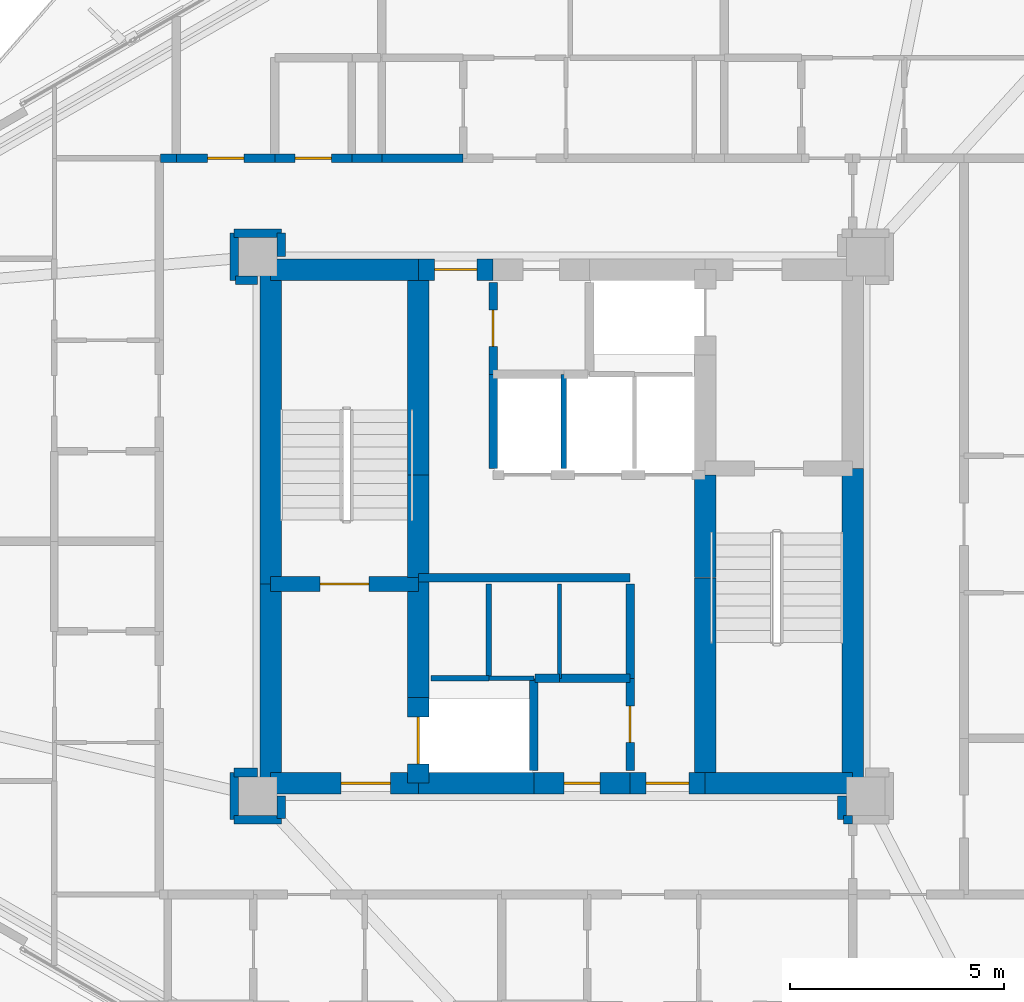
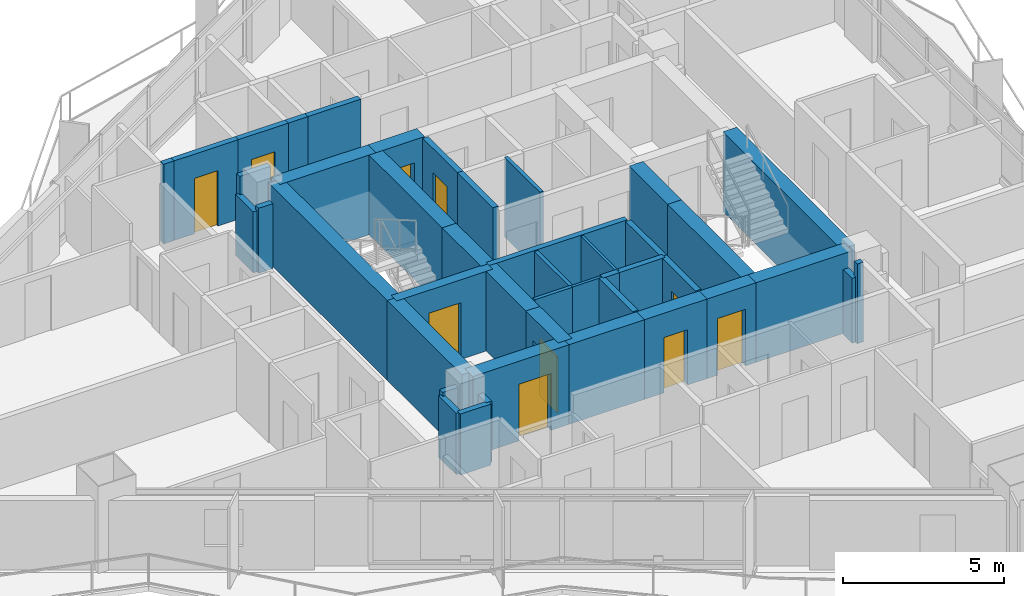
# One storey, part 13 of 18: 45 walls, 10 doors, 10 openings.
"""IFC4 building model written with IfcOpenShell, lengths in metres."""

from ifc_helpers import new_model, si_unit, direction, frame, frame_2d, origin, place, context, subcontext, project, spatial, rectangle, extrude, material, layer, layer_set, type_object, element, fill, save


model = new_model("IFC4")

# Units and contexts
model_context = context("Model", 3, precision=1e-05, world=origin(), true_north=direction((0.0, 1.0)))
body_context = subcontext(model_context, "Body", "Model", "MODEL_VIEW")
ifc_project = project(units=[si_unit("LENGTHUNIT", "METRE"), si_unit("AREAUNIT", "SQUARE_METRE"), si_unit("VOLUMEUNIT", "CUBIC_METRE"), si_unit("PLANEANGLEUNIT", "RADIAN"), si_unit("MASSUNIT", "GRAM", prefix="KILO")], contexts=[model_context])

# Site, building, storey
site_placement = place(None, origin())
site = spatial("IfcSite", under=ifc_project, at=site_placement, CompositionType="ELEMENT")
building_placement = place(site_placement, origin())
building = spatial("IfcBuilding", under=site, at=building_placement, Name="Mersakhor Tower and Convention Hall", CompositionType="ELEMENT")
storey_placement = place(building_placement, frame((0.0, 0.0, 58.800048828125)))
storey = spatial("IfcBuildingStorey", under=building, at=storey_placement, Name="L16", CompositionType="ELEMENT", Elevation=58.800048828125)

# Walls
ifc_material_1 = material(Name="Lightweight gypsum partition", Category="other")
ifc_layer_1 = layer(ifc_material_1, 0.10009765625)
ifc_layer_set_1 = layer_set([ifc_layer_1], Name="Lightweight gypsum partition")
wall_type_1 = type_object("IfcWallType", Name="WL-PRT-100", PredefinedType="PARTITIONING", material=ifc_layer_set_1)
wall_1_placement = place(storey_placement, frame((27.300048828125, 23.199951171875, 0.0), z_axis=(0.0, 0.0, 1.0), x_axis=(1.0, 0.0, 0.0)))
element("IfcWall", 1, at=wall_1_placement, inside=storey, type_object=wall_type_1, Name="L16 Interior Partition Wall P-002", PredefinedType="PARTITIONING", context=body_context, shape_type="SweptSolid", body=[
    extrude(rectangle(XDim=1.050048828125, YDim=0.10009765625, at=frame_2d((0.52490234375, 0.0))), origin(), (0.0, 0.0, 1.0), 3.02001953125),
])
wall_2_placement = place(storey_placement, frame((28.949951171875, 25.39990234375, 0.0), z_axis=(0.0, 0.0, 1.0), x_axis=(0.0, -1.0, 0.0)))
element("IfcWall", 2, at=wall_2_placement, inside=storey, type_object=wall_type_1, Name="L16 Interior Partition Wall P-008", PredefinedType="PARTITIONING", context=body_context, shape_type="SweptSolid", body=[
    extrude(rectangle(XDim=2.199951171875, YDim=0.10009765625, at=frame_2d((1.10009765625, 0.0))), origin(), (0.0, 0.0, 1.0), 3.02001953125),
])
ifc_material_2 = material(Name="Gypsum board acoustic partition", Category="other")
ifc_layer_2 = layer(ifc_material_2, 0.125)
ifc_layer_set_2 = layer_set([ifc_layer_2], Name="Gypsum board acoustic partition")
wall_type_2 = type_object("IfcWallType", Name="WL-PRT-125", PredefinedType="PARTITIONING", material=ifc_layer_set_2)
wall_3_placement = place(storey_placement, frame((25.949951171875, 23.199951171875, 0.0), z_axis=(0.0, 0.0, 1.0), x_axis=(1.0, 0.0, 0.0)))
element("IfcWall", 3, at=wall_3_placement, inside=storey, type_object=wall_type_2, Name="L16 Interior Partition Wall P-001", PredefinedType="PARTITIONING", context=body_context, shape_type="SweptSolid", body=[
    extrude(rectangle(XDim=1.35009765625, YDim=0.125, at=frame_2d((0.675048828125, 0.0))), origin(), (0.0, 0.0, 1.0), 3.02001953125),
])
for number, where, z_axis, x_axis, name in (
    (4, (27.300048828125, 25.39990234375, 0.0), (0.0, 0.0, 1.0), (0.0, -1.0, 0.0), "L16 Interior Partition Wall P-007"),
    (5, (29.050048828125, 30.300048828125, 0.0), (0.0, 0.0, 1.0), (0.0, -1.0, 0.0), "L16 Interior Partition Wall P-013"),
):
    element("IfcWall", number, at=place(storey_placement, frame(where, z_axis=z_axis, x_axis=x_axis)), inside=storey, type_object=wall_type_2, Name=name, PredefinedType="PARTITIONING", context=body_context, shape_type="SweptSolid", body=[
        extrude(rectangle(XDim=2.199951171875, YDim=0.125, at=frame_2d((1.10009765625, 0.0))), origin(), (0.0, 0.0, 1.0), 3.02001953125),
    ])
ifc_material_3 = material(Name="Acoustic concrete blockwork and gypsum board", Category="masonry")
ifc_layer_3 = layer(ifc_material_3, 0.199951171875)
ifc_layer_set_3 = layer_set([ifc_layer_3], Name="Acoustic concrete blockwork and gypsum board")
wall_type_3 = type_object("IfcWallType", Name="WL-PRT-200", PredefinedType="PARTITIONING", material=ifc_layer_set_3)
wall_4_placement = place(storey_placement, frame((25.64990234375, 25.550048828125, 0.0), z_axis=(0.0, 0.0, 1.0), x_axis=(1.0, 0.0, 0.0)))
element("IfcWall", 6, at=wall_4_placement, inside=storey, type_object=wall_type_3, Name="L16 High-Rise Lift Bank Front Wall", PredefinedType="PARTITIONING", context=body_context, shape_type="SweptSolid", body=[
    extrude(rectangle(XDim=4.9501953125, YDim=0.199951171875, at=frame_2d((2.47509765625, 0.0))), origin(), (0.0, 0.0, 1.0), 3.02001953125),
])
wall_5_placement = place(storey_placement, frame((28.35009765625, 23.199951171875, 0.0), z_axis=(0.0, 0.0, 1.0), x_axis=(0.0, -1.0, 0.0)))
element("IfcWall", 7, at=wall_5_placement, inside=storey, type_object=wall_type_3, Name="L16 Interior Partition Wall P-003", PredefinedType="PARTITIONING", context=body_context, shape_type="SweptSolid", body=[
    extrude(rectangle(XDim=2.14990234375, YDim=0.199951171875, at=frame_2d((1.074951171875, 0.0))), origin(), (0.0, 0.0, 1.0), 3.02001953125),
])
wall_6_placement = place(storey_placement, frame((28.949951171875, 23.199951171875, 0.0), z_axis=(0.0, 0.0, 1.0), x_axis=(-1.0, 0.0, 0.0)))
element("IfcWall", 8, at=wall_6_placement, inside=storey, type_object=wall_type_3, Name="L16 Interior Partition Wall P-009", PredefinedType="PARTITIONING", context=body_context, shape_type="SweptSolid", body=[
    extrude(rectangle(XDim=0.570068359375, YDim=0.199951171875, at=frame_2d((0.28515625, 0.0))), origin(), (0.0, 0.0, 1.0), 3.02001953125),
])
wall_7_placement = place(storey_placement, frame((30.60009765625, 25.39990234375, 0.0), z_axis=(0.0, 0.0, 1.0), x_axis=(0.0, -1.0, 0.0)))
element("IfcWall", 9, at=wall_7_placement, inside=storey, type_object=wall_type_3, Name="L16 Interior Partition Wall P-010", PredefinedType="PARTITIONING", context=body_context, shape_type="SweptSolid", body=[
    extrude(rectangle(XDim=2.199951171875, YDim=0.199951171875, at=frame_2d((1.10009765625, 0.0))), origin(), (0.0, 0.0, 1.0), 3.02001953125),
])
wall_8_placement = place(storey_placement, frame((30.60009765625, 23.199951171875, 0.0), z_axis=(0.0, 0.0, 1.0), x_axis=(-1.0, 0.0, 0.0)))
element("IfcWall", 10, at=wall_8_placement, inside=storey, type_object=wall_type_3, Name="L16 Interior Partition Wall P-011", PredefinedType="PARTITIONING", context=body_context, shape_type="SweptSolid", body=[
    extrude(rectangle(XDim=1.650146484375, YDim=0.199951171875, at=frame_2d((0.8251953125, 0.0))), origin(), (0.0, 0.0, 1.0), 3.02001953125),
])
wall_9_placement = place(storey_placement, frame((27.39990234375, 28.10009765625, 0.0), z_axis=(0.0, 0.0, 1.0), x_axis=(0.0, 1.0, 0.0)))
element("IfcWall", 11, at=wall_9_placement, inside=storey, type_object=wall_type_3, Name="L16 Interior Partition Wall P-014", PredefinedType="PARTITIONING", context=body_context, shape_type="SweptSolid", body=[
    extrude(rectangle(XDim=2.199951171875, YDim=0.199951171875, at=frame_2d((1.10009765625, 0.0))), origin(), (0.0, 0.0, 1.0), 3.02001953125),
])

# Wall, opening, door
wall_10_placement = place(storey_placement, frame((30.60009765625, 21.050048828125, 0.0), z_axis=(0.0, 0.0, 1.0), x_axis=(0.0, 1.0, 0.0)))
wall_10 = element("IfcWall", 12, at=wall_10_placement, inside=storey, type_object=wall_type_3, Name="L16 Interior Partition Wall P-017", PredefinedType="PARTITIONING", context=body_context, shape_type="SweptSolid", body=[
    extrude(rectangle(XDim=2.14990234375, YDim=0.199951171875, at=frame_2d((1.074951171875, 0.0))), origin(), (0.0, 0.0, 1.0), 3.02001953125),
])
opening_1_placement = place(wall_10_placement, frame((0.64990234375, 0.0, 0.0)))
opening_1 = element("IfcOpeningElement", 13, at=opening_1_placement, cuts=wall_10, Name="Opening SVD-01", PredefinedType="OPENING", context=body_context, shape_type="SweptSolid", body=[
    extrude(rectangle(XDim=0.85009765625, YDim=2.10009765625, at=frame_2d((0.425048828125, 1.050048828125))), frame((0.0, 0.10986328125, 0.0), z_axis=(0.0, -1.0, 0.0), x_axis=(1.0, 0.0, 0.0)), (0.0, 0.0, 1.0), 0.219970703125),
])
ifc_material_4 = material(Name="Fire-rated hardwood leaf and painted steel frame", Category="steel")
door_type_1 = type_object("IfcDoorType", Name="DR-INT-SVC-085x210", OperationType="NOTDEFINED", PredefinedType="DOOR", material=ifc_material_4)
door_1_placement = place(opening_1_placement, origin())
door_1 = element("IfcDoor", 14, at=door_1_placement, inside=storey, type_object=door_type_1, Name="L16 Central Passenger Lift Lobby to Electrical Switchroom Door", OperationType="SINGLE_SWING_RIGHT", OverallHeight=2.10009765625, OverallWidth=0.85009765625, PredefinedType="DOOR", context=body_context, shape_type="SweptSolid", body=[
    extrude(rectangle(XDim=0.85009765625, YDim=2.10009765625, at=frame_2d((0.425048828125, 1.050048828125))), frame((0.0, 0.02490234375, 0.0), z_axis=(0.0, -1.0, 0.0), x_axis=(1.0, 0.0, 0.0)), (0.0, 0.0, 1.0), 0.050048828125),
])
fill(opening_1, door_1)

wall_11_placement = place(storey_placement, frame((27.39990234375, 32.449951171875, 0.0), z_axis=(0.0, 0.0, 1.0), x_axis=(0.0, -1.0, 0.0)))
wall_11 = element("IfcWall", 15, at=wall_11_placement, inside=storey, type_object=wall_type_3, Name="L16 Interior Partition Wall P-018", PredefinedType="PARTITIONING", context=body_context, shape_type="SweptSolid", body=[
    extrude(rectangle(XDim=2.14990234375, YDim=0.199951171875, at=frame_2d((1.074951171875, 0.0))), origin(), (0.0, 0.0, 1.0), 3.02001953125),
])
opening_2_placement = place(wall_11_placement, frame((0.64990234375, 0.0, 0.0)))
opening_2 = element("IfcOpeningElement", 16, at=opening_2_placement, cuts=wall_11, Name="Opening SVD-01", PredefinedType="OPENING", context=body_context, shape_type="SweptSolid", body=[
    extrude(rectangle(XDim=0.85009765625, YDim=2.10009765625, at=frame_2d((0.425048828125, 1.050048828125))), frame((0.0, 0.10986328125, 0.0), z_axis=(0.0, -1.0, 0.0), x_axis=(1.0, 0.0, 0.0)), (0.0, 0.0, 1.0), 0.219970703125),
])
door_2_placement = place(opening_2_placement, origin())
door_2 = element("IfcDoor", 17, at=door_2_placement, inside=storey, type_object=door_type_1, Name="L16 Central Passenger Lift Lobby to Telecoms and BMS Riser Room Door", OperationType="SINGLE_SWING_LEFT", OverallHeight=2.10009765625, OverallWidth=0.85009765625, PredefinedType="DOOR", context=body_context, shape_type="SweptSolid", body=[
    extrude(rectangle(XDim=0.85009765625, YDim=2.10009765625, at=frame_2d((0.425048828125, 1.050048828125))), frame((0.0, 0.02490234375, 0.0), z_axis=(0.0, -1.0, 0.0), x_axis=(1.0, 0.0, 0.0)), (0.0, 0.0, 1.0), 0.050048828125),
])
fill(opening_2, door_2)

# Walls
wall_12_placement = place(storey_placement, frame((21.35009765625, 19.89990234375, 0.0), z_axis=(0.0, 0.0, 1.0), x_axis=(1.0, 0.0, 0.0)))
element("IfcWall", 18, at=wall_12_placement, inside=storey, type_object=wall_type_3, Name="L16 Interior Partition Wall P-019", PredefinedType="PARTITIONING", context=body_context, shape_type="SweptSolid", body=[
    extrude(rectangle(XDim=1.099853515625, YDim=0.199951171875, at=frame_2d((0.5498046875, 0.0))), origin(), (0.0, 0.0, 1.0), 2.3173828125),
])
wall_13_placement = place(storey_placement, frame((22.449951171875, 19.929931640625, 0.0), z_axis=(0.0, 0.0, 1.0), x_axis=(0.0, 1.0, 0.0)))
element("IfcWall", 19, at=wall_13_placement, inside=storey, type_object=wall_type_3, Name="L16 Interior Partition Wall P-020", PredefinedType="PARTITIONING", context=body_context, shape_type="SweptSolid", body=[
    extrude(rectangle(XDim=0.52001953125, YDim=0.199951171875, at=frame_2d((0.260009765625, 0.0))), origin(), (0.0, 0.0, 1.0), 2.3173828125),
])
wall_14_placement = place(storey_placement, frame((35.550048828125, 20.449951171875, 0.0), z_axis=(0.0, 0.0, 1.0), x_axis=(0.0, -1.0, 0.0)))
element("IfcWall", 20, at=wall_14_placement, inside=storey, type_object=wall_type_3, Name="L16 Interior Partition Wall P-021", PredefinedType="PARTITIONING", context=body_context, shape_type="SweptSolid", body=[
    extrude(rectangle(XDim=0.550048828125, YDim=0.199951171875, at=frame_2d((0.27490234375, 0.0))), origin(), (0.0, 0.0, 1.0), 2.46826171875),
])
wall_15_placement = place(storey_placement, frame((35.580078125, 19.89990234375, 0.0), z_axis=(0.0, 0.0, 1.0), x_axis=(1.0, 0.0, 0.0)))
element("IfcWall", 21, at=wall_15_placement, inside=storey, type_object=wall_type_3, Name="L16 Interior Partition Wall P-022", PredefinedType="PARTITIONING", context=body_context, shape_type="SweptSolid", body=[
    extrude(rectangle(XDim=0.219970703125, YDim=0.199951171875, at=frame_2d((0.10986328125, 0.0))), origin(), (0.0, 0.0, 1.0), 3.02001953125),
])
wall_16_placement = place(storey_placement, frame((19.6298828125, 35.35009765625, 0.0), z_axis=(0.0, 0.0, 1.0), x_axis=(1.0, 0.0, 0.0)))
element("IfcWall", 22, at=wall_16_placement, inside=storey, type_object=wall_type_3, Name="L16 Interior Partition Wall P-037", PredefinedType="PARTITIONING", context=body_context, shape_type="SweptSolid", body=[
    extrude(rectangle(XDim=0.3701171875, YDim=0.199951171875, at=frame_2d((0.18505859375, 0.0))), origin(), (0.0, 0.0, 1.0), 3.02001953125),
])

# Wall, opening, door
wall_17_placement = place(storey_placement, frame((20.0, 35.35009765625, 0.0), z_axis=(0.0, 0.0, 1.0), x_axis=(1.0, 0.0, 0.0)))
wall_17 = element("IfcWall", 23, at=wall_17_placement, inside=storey, type_object=wall_type_3, Name="L16 Interior Partition Wall P-038", PredefinedType="PARTITIONING", context=body_context, shape_type="SweptSolid", body=[
    extrude(rectangle(XDim=2.300048828125, YDim=0.199951171875, at=frame_2d((1.14990234375, 0.0))), origin(), (0.0, 0.0, 1.0), 3.02001953125),
])
opening_3_placement = place(wall_17_placement, frame((0.72509765625, 0.0, 0.0)))
opening_3 = element("IfcOpeningElement", 24, at=opening_3_placement, cuts=wall_17, Name="Opening SVD-01", PredefinedType="OPENING", context=body_context, shape_type="SweptSolid", body=[
    extrude(rectangle(XDim=0.85009765625, YDim=2.10009765625, at=frame_2d((0.425048828125, 1.050048828125))), frame((0.0, 0.10986328125, 0.0), z_axis=(0.0, -1.0, 0.0), x_axis=(1.0, 0.0, 0.0)), (0.0, 0.0, 1.0), 0.219970703125),
])
door_3_placement = place(opening_3_placement, origin())
door_3 = element("IfcDoor", 25, at=door_3_placement, inside=storey, type_object=door_type_1, Name="L16 Residential Ring Corridor to L16 Floor Household Store Room 1-1 Door", OperationType="SINGLE_SWING_LEFT", OverallHeight=2.10009765625, OverallWidth=0.85009765625, PredefinedType="DOOR", context=body_context, shape_type="SweptSolid", body=[
    extrude(rectangle(XDim=0.85009765625, YDim=2.10009765625, at=frame_2d((0.425048828125, 1.050048828125))), frame((0.0, 0.02490234375, 0.0), z_axis=(0.0, -1.0, 0.0), x_axis=(1.0, 0.0, 0.0)), (0.0, 0.0, 1.0), 0.050048828125),
])
fill(opening_3, door_3)

wall_18_placement = place(storey_placement, frame((22.300048828125, 35.35009765625, 0.0), z_axis=(0.0, 0.0, 1.0), x_axis=(1.0, 0.0, 0.0)))
wall_18 = element("IfcWall", 26, at=wall_18_placement, inside=storey, type_object=wall_type_3, Name="L16 Interior Partition Wall P-039", PredefinedType="PARTITIONING", context=body_context, shape_type="SweptSolid", body=[
    extrude(rectangle(XDim=1.800048828125, YDim=0.199951171875, at=frame_2d((0.89990234375, 0.0))), origin(), (0.0, 0.0, 1.0), 3.02001953125),
])
opening_4_placement = place(wall_18_placement, frame((0.47509765625, 0.0, 0.0)))
opening_4 = element("IfcOpeningElement", 27, at=opening_4_placement, cuts=wall_18, Name="Opening SVD-01", PredefinedType="OPENING", context=body_context, shape_type="SweptSolid", body=[
    extrude(rectangle(XDim=0.85009765625, YDim=2.10009765625, at=frame_2d((0.425048828125, 1.050048828125))), frame((0.0, 0.10986328125, 0.0), z_axis=(0.0, -1.0, 0.0), x_axis=(1.0, 0.0, 0.0)), (0.0, 0.0, 1.0), 0.219970703125),
])
door_4_placement = place(opening_4_placement, origin())
door_4 = element("IfcDoor", 28, at=door_4_placement, inside=storey, type_object=door_type_1, Name="L16 Residential Ring Corridor to L16 Floor Shared Restroom WC 1-2 Door", OperationType="SINGLE_SWING_RIGHT", OverallHeight=2.10009765625, OverallWidth=0.85009765625, PredefinedType="DOOR", context=body_context, shape_type="SweptSolid", body=[
    extrude(rectangle(XDim=0.85009765625, YDim=2.10009765625, at=frame_2d((0.425048828125, 1.050048828125))), frame((0.0, 0.02490234375, 0.0), z_axis=(0.0, -1.0, 0.0), x_axis=(1.0, 0.0, 0.0)), (0.0, 0.0, 1.0), 0.050048828125),
])
fill(opening_4, door_4)

# Walls
wall_19_placement = place(storey_placement, frame((24.10009765625, 35.35009765625, 0.0), z_axis=(0.0, 0.0, 1.0), x_axis=(1.0, 0.0, 0.0)))
element("IfcWall", 29, at=wall_19_placement, inside=storey, type_object=wall_type_3, Name="L16 Interior Partition Wall P-040", PredefinedType="PARTITIONING", context=body_context, shape_type="SweptSolid", body=[
    extrude(rectangle(XDim=0.699951171875, YDim=0.199951171875, at=frame_2d((0.35009765625, 0.0))), origin(), (0.0, 0.0, 1.0), 3.02001953125),
])
wall_20_placement = place(storey_placement, frame((24.800048828125, 35.35009765625, 0.0), z_axis=(0.0, 0.0, 1.0), x_axis=(1.0, 0.0, 0.0)))
element("IfcWall", 30, at=wall_20_placement, inside=storey, type_object=wall_type_3, Name="L16 Interior Partition Wall P-041", PredefinedType="PARTITIONING", context=body_context, shape_type="SweptSolid", body=[
    extrude(rectangle(XDim=1.89990234375, YDim=0.199951171875, at=frame_2d((0.949951171875, 0.0))), origin(), (0.0, 0.0, 1.0), 3.02001953125),
])
wall_21_placement = place(storey_placement, frame((22.449951171875, 33.050048828125, 0.0), z_axis=(0.0, 0.0, 1.0), x_axis=(0.0, 1.0, 0.0)))
element("IfcWall", 31, at=wall_21_placement, inside=storey, type_object=wall_type_3, Name="L16 Interior Partition Wall P-050", PredefinedType="PARTITIONING", context=body_context, shape_type="SweptSolid", body=[
    extrude(rectangle(XDim=0.550048828125, YDim=0.199951171875, at=frame_2d((0.27490234375, 0.0))), origin(), (0.0, 0.0, 1.0), 2.46826171875),
])
wall_22_placement = place(storey_placement, frame((22.449951171875, 33.60009765625, 0.0), z_axis=(0.0, 0.0, 1.0), x_axis=(-1.0, 0.0, 0.0)))
element("IfcWall", 32, at=wall_22_placement, inside=storey, type_object=wall_type_3, Name="L16 Interior Partition Wall P-051", PredefinedType="PARTITIONING", context=body_context, shape_type="SweptSolid", body=[
    extrude(rectangle(XDim=1.099853515625, YDim=0.199951171875, at=frame_2d((0.5498046875, 0.0))), origin(), (0.0, 0.0, 1.0), 3.02001953125),
])
wall_23_placement = place(storey_placement, frame((21.35009765625, 33.60009765625, 0.0), z_axis=(0.0, 0.0, 1.0), x_axis=(0.0, -1.0, 0.0)))
element("IfcWall", 33, at=wall_23_placement, inside=storey, type_object=wall_type_3, Name="L16 Interior Partition Wall P-052", PredefinedType="PARTITIONING", context=body_context, shape_type="SweptSolid", body=[
    extrude(rectangle(XDim=1.10009765625, YDim=0.199951171875, at=frame_2d((0.550048828125, 0.0))), origin(), (0.0, 0.0, 1.0), 2.3173828125),
])
wall_24_placement = place(storey_placement, frame((21.3798828125, 32.5, 0.0), z_axis=(0.0, 0.0, 1.0), x_axis=(1.0, 0.0, 0.0)))
element("IfcWall", 34, at=wall_24_placement, inside=storey, type_object=wall_type_3, Name="L16 Interior Partition Wall P-053", PredefinedType="PARTITIONING", context=body_context, shape_type="SweptSolid", body=[
    extrude(rectangle(XDim=0.52001953125, YDim=0.199951171875, at=frame_2d((0.260009765625, 0.0))), origin(), (0.0, 0.0, 1.0), 2.46826171875),
])
wall_25_placement = place(storey_placement, frame((21.89990234375, 21.0, 0.0), z_axis=(0.0, 0.0, 1.0), x_axis=(-1.0, 0.0, 0.0)))
element("IfcWall", 35, at=wall_25_placement, inside=storey, type_object=wall_type_3, Name="L16 Interior Partition Wall P-054", PredefinedType="PARTITIONING", context=body_context, shape_type="SweptSolid", body=[
    extrude(rectangle(XDim=0.5498046875, YDim=0.199951171875, at=frame_2d((0.27490234375, 0.0))), origin(), (0.0, 0.0, 1.0), 2.46826171875),
])
wall_26_placement = place(storey_placement, frame((21.35009765625, 21.0, 0.0), z_axis=(0.0, 0.0, 1.0), x_axis=(0.0, -1.0, 0.0)))
element("IfcWall", 36, at=wall_26_placement, inside=storey, type_object=wall_type_3, Name="L16 Interior Partition Wall P-055", PredefinedType="PARTITIONING", context=body_context, shape_type="SweptSolid", body=[
    extrude(rectangle(XDim=1.10009765625, YDim=0.199951171875, at=frame_2d((0.550048828125, 0.0))), origin(), (0.0, 0.0, 1.0), 2.3173828125),
])

# Wall, opening, door
ifc_material_5 = material(Name="Concrete C50/60", Category="concrete")
ifc_layer_4 = layer(ifc_material_5, 0.35009765625)
ifc_layer_set_4 = layer_set([ifc_layer_4], Name="Concrete C50/60")
wall_type_4 = type_object("IfcWallType", Name="WL-SHR-350", PredefinedType="SHEAR", material=ifc_layer_set_4)
wall_27_placement = place(storey_placement, frame((22.199951171875, 25.39990234375, 0.0), z_axis=(0.0, 0.0, 1.0), x_axis=(1.0, 0.0, 0.0)))
wall_27 = element("IfcWall", 37, at=wall_27_placement, inside=storey, type_object=wall_type_4, Name="L16 Core Wall CS-ST1-S", PredefinedType="SHEAR", context=body_context, shape_type="SweptSolid", body=[
    extrude(rectangle(XDim=3.449951171875, YDim=0.35009765625, at=frame_2d((1.72509765625, 0.0))), origin(), (0.0, 0.0, 1.0), 3.02001953125),
])
opening_5_placement = place(wall_27_placement, frame((1.14990234375, 0.0, 0.0)))
opening_5 = element("IfcOpeningElement", 38, at=opening_5_placement, cuts=wall_27, Name="Opening SD-01", PredefinedType="OPENING", context=body_context, shape_type="SweptSolid", body=[
    extrude(rectangle(XDim=1.14990234375, YDim=2.14990234375, at=frame_2d((0.574951171875, 1.074951171875))), frame((0.0, 0.18505859375, 0.0), z_axis=(0.0, -1.0, 0.0), x_axis=(1.0, 0.0, 0.0)), (0.0, 0.0, 1.0), 0.3701171875),
])
ifc_material_6 = material(Name="Fire-rated hardwood leaf and painted steel frame", Category="steel")
door_type_2 = type_object("IfcDoorType", Name="DR-INT-STAIR-115x215", OperationType="NOTDEFINED", PredefinedType="DOOR", material=ifc_material_6)
door_5_placement = place(opening_5_placement, origin())
door_5 = element("IfcDoor", 39, at=door_5_placement, inside=storey, type_object=door_type_2, Name="L16 Exit Stair ST-1 Enclosure Door", OperationType="SINGLE_SWING_LEFT", OverallHeight=2.14990234375, OverallWidth=1.14990234375, PredefinedType="DOOR", context=body_context, shape_type="SweptSolid", body=[
    extrude(rectangle(XDim=1.14990234375, YDim=2.14990234375, at=frame_2d((0.574951171875, 1.074951171875))), frame((0.0, 0.02490234375, 0.0), z_axis=(0.0, -1.0, 0.0), x_axis=(1.0, 0.0, 0.0)), (0.0, 0.0, 1.0), 0.050048828125),
])
fill(opening_5, door_5)

# Walls
ifc_material_7 = material(Name="Concrete C70/85", Category="concrete")
ifc_layer_5 = layer(ifc_material_7, 0.5)
ifc_layer_set_5 = layer_set([ifc_layer_5], Name="Concrete C70/85")
wall_type_5 = type_object("IfcWallType", Name="WL-SHR-500", PredefinedType="SHEAR", material=ifc_layer_set_5)
wall_28_placement = place(storey_placement, frame((22.199951171875, 20.75, 0.0), z_axis=(0.0, 0.0, 1.0), x_axis=(0.0, 1.0, 0.0)))
element("IfcWall", 40, at=wall_28_placement, inside=storey, type_object=wall_type_5, Name="L16 Core Wall CW-W1", PredefinedType="SHEAR", context=body_context, shape_type="SweptSolid", body=[
    extrude(rectangle(XDim=4.64990234375, YDim=0.5, at=frame_2d((2.324951171875, 0.0))), origin(), (0.0, 0.0, 1.0), 3.02001953125),
])
wall_29_placement = place(storey_placement, frame((22.199951171875, 25.39990234375, 0.0), z_axis=(0.0, 0.0, 1.0), x_axis=(0.0, 1.0, 0.0)))
element("IfcWall", 41, at=wall_29_placement, inside=storey, type_object=wall_type_5, Name="L16 Core Wall CW-W2", PredefinedType="SHEAR", context=body_context, shape_type="SweptSolid", body=[
    extrude(rectangle(XDim=7.35009765625, YDim=0.5, at=frame_2d((3.675048828125, 0.0))), origin(), (0.0, 0.0, 1.0), 3.02001953125),
])
wall_30_placement = place(storey_placement, frame((22.199951171875, 32.75, 0.0), z_axis=(0.0, 0.0, 1.0), x_axis=(1.0, 0.0, 0.0)))
element("IfcWall", 42, at=wall_30_placement, inside=storey, type_object=wall_type_5, Name="L16 Core Wall CW-N1", PredefinedType="SHEAR", context=body_context, shape_type="SweptSolid", body=[
    extrude(rectangle(XDim=3.449951171875, YDim=0.5, at=frame_2d((1.72509765625, 0.0))), origin(), (0.0, 0.0, 1.0), 3.02001953125),
])

# Wall, opening, door
wall_31_placement = place(storey_placement, frame((25.64990234375, 32.75, 0.0), z_axis=(0.0, 0.0, 1.0), x_axis=(1.0, 0.0, 0.0)))
wall_31 = element("IfcWall", 43, at=wall_31_placement, inside=storey, type_object=wall_type_5, Name="L16 Core Wall CW-N2A", PredefinedType="SHEAR", context=body_context, shape_type="SweptSolid", body=[
    extrude(rectangle(XDim=1.75, YDim=0.5, at=frame_2d((0.875, 0.0))), origin(), (0.0, 0.0, 1.0), 3.02001953125),
])
opening_6_placement = place(wall_31_placement, frame((0.375, 0.0, 0.0)))
opening_6 = element("IfcOpeningElement", 44, at=opening_6_placement, cuts=wall_31, Name="Opening CFD-01", PredefinedType="OPENING", context=body_context, shape_type="SweptSolid", body=[
    extrude(rectangle(XDim=1.0, YDim=2.14990234375, at=frame_2d((0.5, 1.074951171875))), frame((0.0, 0.260009765625, 0.0), z_axis=(0.0, -1.0, 0.0), x_axis=(1.0, 0.0, 0.0)), (0.0, 0.0, 1.0), 0.52001953125),
])
ifc_material_8 = material(Name="Fire-rated hardwood leaf and painted steel frame", Category="steel")
door_type_3 = type_object("IfcDoorType", Name="DR-CORE-FD-100x215", OperationType="NOTDEFINED", PredefinedType="DOOR", material=ifc_material_8)
door_6_placement = place(opening_6_placement, origin())
door_6 = element("IfcDoor", 45, at=door_6_placement, inside=storey, type_object=door_type_3, Name="L16 Lift Lobby North Corridor Door", OperationType="SINGLE_SWING_LEFT", OverallHeight=2.14990234375, OverallWidth=1.0, PredefinedType="DOOR", context=body_context, shape_type="SweptSolid", body=[
    extrude(rectangle(XDim=1.0, YDim=2.14990234375, at=frame_2d((0.5, 1.074951171875))), frame((0.0, 0.02490234375, 0.0), z_axis=(0.0, -1.0, 0.0), x_axis=(1.0, 0.0, 0.0)), (0.0, 0.0, 1.0), 0.050048828125),
])
fill(opening_6, door_6)

# Walls
wall_32_placement = place(storey_placement, frame((35.800048828125, 28.10009765625, 0.0), z_axis=(0.0, 0.0, 1.0), x_axis=(0.0, -1.0, 0.0)))
element("IfcWall", 46, at=wall_32_placement, inside=storey, type_object=wall_type_5, Name="L16 Core Wall CW-E2", PredefinedType="SHEAR", context=body_context, shape_type="SweptSolid", body=[
    extrude(rectangle(XDim=7.35009765625, YDim=0.5, at=frame_2d((3.675048828125, 0.0))), origin(), (0.0, 0.0, 1.0), 3.02001953125),
])
wall_33_placement = place(storey_placement, frame((35.800048828125, 20.75, 0.0), z_axis=(0.0, 0.0, 1.0), x_axis=(-1.0, 0.0, 0.0)))
element("IfcWall", 47, at=wall_33_placement, inside=storey, type_object=wall_type_5, Name="L16 Core Wall CW-S1", PredefinedType="SHEAR", context=body_context, shape_type="SweptSolid", body=[
    extrude(rectangle(XDim=3.449951171875, YDim=0.5, at=frame_2d((1.72509765625, 0.0))), origin(), (0.0, 0.0, 1.0), 3.02001953125),
])

# Wall, opening, door
wall_34_placement = place(storey_placement, frame((32.35009765625, 20.75, 0.0), z_axis=(0.0, 0.0, 1.0), x_axis=(-1.0, 0.0, 0.0)))
wall_34 = element("IfcWall", 48, at=wall_34_placement, inside=storey, type_object=wall_type_5, Name="L16 Core Wall CW-S2A", PredefinedType="SHEAR", context=body_context, shape_type="SweptSolid", body=[
    extrude(rectangle(XDim=1.75, YDim=0.5, at=frame_2d((0.875, 0.0))), origin(), (0.0, 0.0, 1.0), 3.02001953125),
])
opening_7_placement = place(wall_34_placement, frame((0.375, 0.0, 0.0)))
opening_7 = element("IfcOpeningElement", 49, at=opening_7_placement, cuts=wall_34, Name="Opening CFD-01", PredefinedType="OPENING", context=body_context, shape_type="SweptSolid", body=[
    extrude(rectangle(XDim=1.0, YDim=2.14990234375, at=frame_2d((0.5, 1.074951171875))), frame((0.0, 0.260009765625, 0.0), z_axis=(0.0, -1.0, 0.0), x_axis=(1.0, 0.0, 0.0)), (0.0, 0.0, 1.0), 0.52001953125),
])
door_7_placement = place(opening_7_placement, origin())
door_7 = element("IfcDoor", 50, at=door_7_placement, inside=storey, type_object=door_type_3, Name="L16 Lift Lobby South Corridor Door", OperationType="SINGLE_SWING_RIGHT", OverallHeight=2.14990234375, OverallWidth=1.0, PredefinedType="DOOR", context=body_context, shape_type="SweptSolid", body=[
    extrude(rectangle(XDim=1.0, YDim=2.14990234375, at=frame_2d((0.5, 1.074951171875))), frame((0.0, 0.02490234375, 0.0), z_axis=(0.0, -1.0, 0.0), x_axis=(1.0, 0.0, 0.0)), (0.0, 0.0, 1.0), 0.050048828125),
])
fill(opening_7, door_7)

wall_35_placement = place(storey_placement, frame((30.60009765625, 20.75, 0.0), z_axis=(0.0, 0.0, 1.0), x_axis=(-1.0, 0.0, 0.0)))
wall_35 = element("IfcWall", 51, at=wall_35_placement, inside=storey, type_object=wall_type_5, Name="L16 Core Wall CW-S2B", PredefinedType="SHEAR", context=body_context, shape_type="SweptSolid", body=[
    extrude(rectangle(XDim=2.25, YDim=0.5, at=frame_2d((1.125, 0.0))), origin(), (0.0, 0.0, 1.0), 3.02001953125),
])
opening_8_placement = place(wall_35_placement, frame((0.699951171875, 0.0, 0.0)))
opening_8 = element("IfcOpeningElement", 52, at=opening_8_placement, cuts=wall_35, Name="Opening SVD-01", PredefinedType="OPENING", context=body_context, shape_type="SweptSolid", body=[
    extrude(rectangle(XDim=0.85009765625, YDim=2.10009765625, at=frame_2d((0.425048828125, 1.050048828125))), frame((0.0, 0.260009765625, 0.0), z_axis=(0.0, -1.0, 0.0), x_axis=(1.0, 0.0, 0.0)), (0.0, 0.0, 1.0), 0.52001953125),
])
door_8_placement = place(opening_8_placement, origin())
door_8 = element("IfcDoor", 53, at=door_8_placement, inside=storey, type_object=door_type_1, Name="L16 Residential Ring Corridor to Electrical Switchroom Door", OperationType="SINGLE_SWING_LEFT", OverallHeight=2.10009765625, OverallWidth=0.85009765625, PredefinedType="DOOR", context=body_context, shape_type="SweptSolid", body=[
    extrude(rectangle(XDim=0.85009765625, YDim=2.10009765625, at=frame_2d((0.425048828125, 1.050048828125))), frame((0.0, 0.02490234375, 0.0), z_axis=(0.0, -1.0, 0.0), x_axis=(1.0, 0.0, 0.0)), (0.0, 0.0, 1.0), 0.050048828125),
])
fill(opening_8, door_8)

# Wall
wall_36_placement = place(storey_placement, frame((28.35009765625, 20.75, 0.0), z_axis=(0.0, 0.0, 1.0), x_axis=(-1.0, 0.0, 0.0)))
element("IfcWall", 54, at=wall_36_placement, inside=storey, type_object=wall_type_5, Name="L16 Core Wall CW-S3", PredefinedType="SHEAR", context=body_context, shape_type="SweptSolid", body=[
    extrude(rectangle(XDim=2.7001953125, YDim=0.5, at=frame_2d((1.35009765625, 0.0))), origin(), (0.0, 0.0, 1.0), 3.02001953125),
])

# Wall, opening, door
wall_37_placement = place(storey_placement, frame((25.64990234375, 20.75, 0.0), z_axis=(0.0, 0.0, 1.0), x_axis=(-1.0, 0.0, 0.0)))
wall_37 = element("IfcWall", 55, at=wall_37_placement, inside=storey, type_object=wall_type_5, Name="L16 Core Wall CW-S4", PredefinedType="SHEAR", context=body_context, shape_type="SweptSolid", body=[
    extrude(rectangle(XDim=3.449951171875, YDim=0.5, at=frame_2d((1.72509765625, 0.0))), origin(), (0.0, 0.0, 1.0), 3.02001953125),
])
opening_9_placement = place(wall_37_placement, frame((0.64990234375, 0.0, 0.0)))
opening_9 = element("IfcOpeningElement", 56, at=opening_9_placement, cuts=wall_37, Name="Opening SD-01", PredefinedType="OPENING", context=body_context, shape_type="SweptSolid", body=[
    extrude(rectangle(XDim=1.14990234375, YDim=2.14990234375, at=frame_2d((0.574951171875, 1.074951171875))), frame((0.0, 0.260009765625, 0.0), z_axis=(0.0, -1.0, 0.0), x_axis=(1.0, 0.0, 0.0)), (0.0, 0.0, 1.0), 0.52001953125),
])
door_9_placement = place(opening_9_placement, origin())
door_9 = element("IfcDoor", 57, at=door_9_placement, inside=storey, type_object=door_type_2, Name="L16 Firefighting Lobby West Fire Door", OperationType="SINGLE_SWING_LEFT", OverallHeight=2.14990234375, OverallWidth=1.14990234375, PredefinedType="DOOR", context=body_context, shape_type="SweptSolid", body=[
    extrude(rectangle(XDim=1.14990234375, YDim=2.14990234375, at=frame_2d((0.574951171875, 1.074951171875))), frame((0.0, 0.02490234375, 0.0), z_axis=(0.0, -1.0, 0.0), x_axis=(1.0, 0.0, 0.0)), (0.0, 0.0, 1.0), 0.050048828125),
])
fill(opening_9, door_9)

wall_38_placement = place(storey_placement, frame((25.64990234375, 20.75, 0.0), z_axis=(0.0, 0.0, 1.0), x_axis=(0.0, 1.0, 0.0)))
wall_38 = element("IfcWall", 58, at=wall_38_placement, inside=storey, type_object=wall_type_5, Name="L16 Core Wall CS-W-FFL", PredefinedType="SHEAR", context=body_context, shape_type="SweptSolid", body=[
    extrude(rectangle(XDim=2.0, YDim=0.5, at=frame_2d((1.0, 0.0))), origin(), (0.0, 0.0, 1.0), 3.02001953125),
])
opening_10_placement = place(wall_38_placement, frame((0.449951171875, 0.0, 0.0)))
opening_10 = element("IfcOpeningElement", 59, at=opening_10_placement, cuts=wall_38, Name="Opening LD-FFL1", PredefinedType="OPENING", context=body_context, shape_type="SweptSolid", body=[
    extrude(rectangle(XDim=1.10009765625, YDim=2.14990234375, at=frame_2d((0.550048828125, 1.074951171875))), frame((0.0, 0.260009765625, 0.0), z_axis=(0.0, -1.0, 0.0), x_axis=(1.0, 0.0, 0.0)), (0.0, 0.0, 1.0), 0.52001953125),
])
ifc_material_9 = material(Name="Fire-rated brushed stainless steel sliding landing door", Category="steel")
door_type_4 = type_object("IfcDoorType", Name="DR-LIFT-SLD-110x215", OperationType="NOTDEFINED", PredefinedType="DOOR", material=ifc_material_9)
door_10_placement = place(opening_10_placement, origin())
door_10 = element("IfcDoor", 60, at=door_10_placement, inside=storey, type_object=door_type_4, Name="L16 Firefighting Lift Landing Door LD-FFL1", OperationType="SLIDING_TO_LEFT", OverallHeight=2.14990234375, OverallWidth=1.10009765625, PredefinedType="DOOR", context=body_context, shape_type="SweptSolid", body=[
    extrude(rectangle(XDim=1.10009765625, YDim=2.14990234375, at=frame_2d((0.550048828125, 1.074951171875))), frame((0.0, 0.02490234375, 0.0), z_axis=(0.0, -1.0, 0.0), x_axis=(1.0, 0.0, 0.0)), (0.0, 0.0, 1.0), 0.050048828125),
])
fill(opening_10, door_10)

# Walls
wall_39_placement = place(storey_placement, frame((25.64990234375, 22.75, 0.0), z_axis=(0.0, 0.0, 1.0), x_axis=(0.0, 1.0, 0.0)))
element("IfcWall", 61, at=wall_39_placement, inside=storey, type_object=wall_type_5, Name="L16 Core Wall CS-W-MID", PredefinedType="SHEAR", context=body_context, shape_type="SweptSolid", body=[
    extrude(rectangle(XDim=2.800048828125, YDim=0.5, at=frame_2d((1.39990234375, 0.0))), origin(), (0.0, 0.0, 1.0), 3.02001953125),
])
wall_40_placement = place(storey_placement, frame((25.64990234375, 25.550048828125, 0.0), z_axis=(0.0, 0.0, 1.0), x_axis=(0.0, 1.0, 0.0)))
element("IfcWall", 62, at=wall_40_placement, inside=storey, type_object=wall_type_5, Name="L16 Core Wall CS-W-LOB", PredefinedType="SHEAR", context=body_context, shape_type="SweptSolid", body=[
    extrude(rectangle(XDim=2.39990234375, YDim=0.5, at=frame_2d((1.199951171875, 0.0))), origin(), (0.0, 0.0, 1.0), 3.02001953125),
])
for number, where, z_axis, x_axis, name in (
    (63, (25.64990234375, 27.949951171875, 0.0), (0.0, 0.0, 1.0), (0.0, 1.0, 0.0), "L16 Core Wall CS-W-ST1"),
    (64, (32.35009765625, 20.75, 0.0), (0.0, 0.0, 1.0), (0.0, 1.0, 0.0), "L16 Core Wall CS-E-ST2"),
):
    element("IfcWall", number, at=place(storey_placement, frame(where, z_axis=z_axis, x_axis=x_axis)), inside=storey, type_object=wall_type_5, Name=name, PredefinedType="SHEAR", context=body_context, shape_type="SweptSolid", body=[
        extrude(rectangle(XDim=4.800048828125, YDim=0.5, at=frame_2d((2.39990234375, 0.0))), origin(), (0.0, 0.0, 1.0), 3.02001953125),
    ])
wall_41_placement = place(storey_placement, frame((32.35009765625, 25.550048828125, 0.0), z_axis=(0.0, 0.0, 1.0), x_axis=(0.0, 1.0, 0.0)))
element("IfcWall", 65, at=wall_41_placement, inside=storey, type_object=wall_type_5, Name="L16 Core Wall CS-E-LOB", PredefinedType="SHEAR", context=body_context, shape_type="SweptSolid", body=[
    extrude(rectangle(XDim=2.39990234375, YDim=0.5, at=frame_2d((1.199951171875, 0.0))), origin(), (0.0, 0.0, 1.0), 3.02001953125),
])

save(model, "model.ifc")
